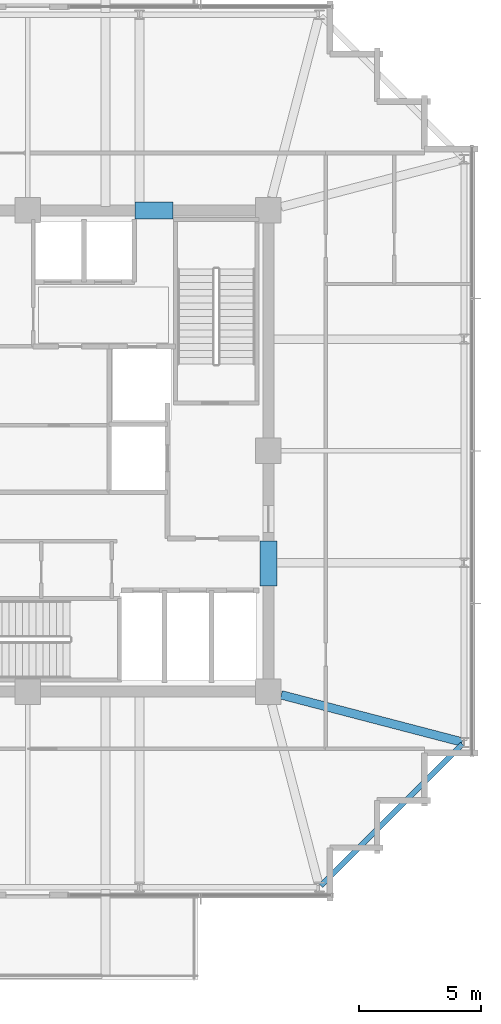
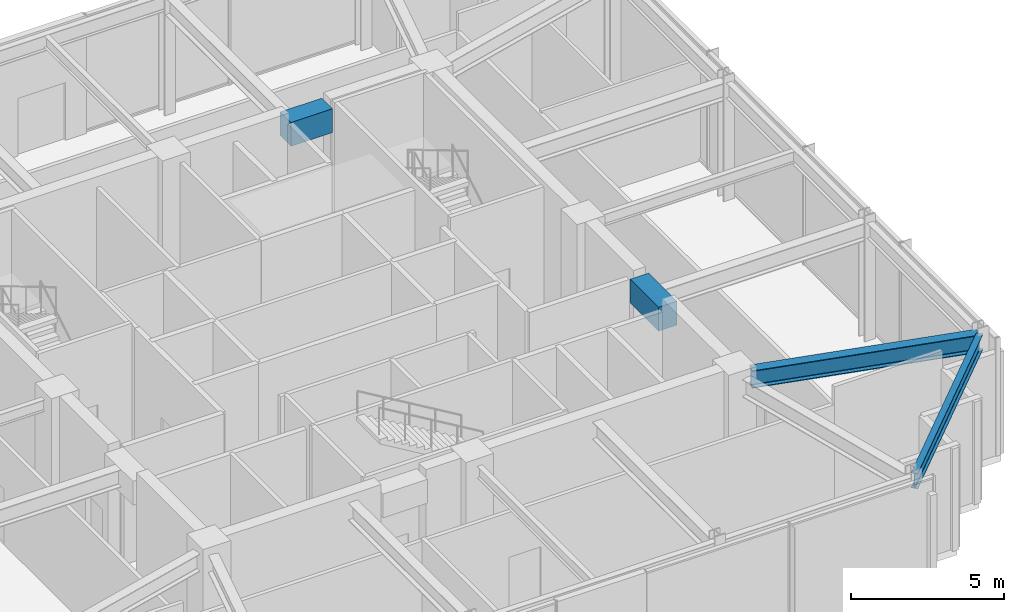
# One storey, part 10 of 31: 4 beams.
"""IFC4 building model written with IfcOpenShell, lengths in metres."""

from ifc_helpers import new_model, si_unit, direction, frame, origin, origin_2d, place, context, subcontext, project, spatial, rectangle, i_section, extrude, material, material_profile, profile_set, type_object, element, save


model = new_model("IFC4")

# Units and contexts
model_context = context("Model", 3, precision=1e-05, world=origin(), true_north=direction((0.0, 1.0)))
body_context = subcontext(model_context, "Body", "Model", "MODEL_VIEW")
ifc_project = project(units=[si_unit("LENGTHUNIT", "METRE"), si_unit("AREAUNIT", "SQUARE_METRE"), si_unit("VOLUMEUNIT", "CUBIC_METRE"), si_unit("PLANEANGLEUNIT", "RADIAN"), si_unit("MASSUNIT", "GRAM", prefix="KILO")], contexts=[model_context])

# Site, building, storey
site_placement = place(None, origin())
site = spatial("IfcSite", under=ifc_project, at=site_placement, CompositionType="ELEMENT")
building_placement = place(site_placement, origin())
building = spatial("IfcBuilding", under=site, at=building_placement, Name="Kolvaren Belvedere", CompositionType="ELEMENT")
storey_placement = place(building_placement, frame((0.0, 0.0, 267.39990234375)))
storey = spatial("IfcBuildingStorey", under=building, at=storey_placement, Name="L77", CompositionType="ELEMENT", Elevation=267.39990234375)

# Beams
ifc_material_1 = material(Name="Structural steel ASTM A992 Grade 50", Category="steel")
ifc_material_profile_1 = material_profile(ifc_material_1, i_section(OverallWidth=0.35498046875, OverallDepth=0.696044921875, WebThickness=0.015380859375, FlangeThickness=0.02490234375, FilletRadius=0.02197265625, at=origin_2d()), Name="W27X146")
ifc_profile_set_1 = profile_set([ifc_material_profile_1], Name="Structural steel ASTM A992 Grade 50")
beam_type_1 = type_object("IfcBeamType", Name="BM-GIRD-W27X146", PredefinedType="BEAM", material=ifc_profile_set_1)
beam_1_placement = place(storey_placement, frame((10.43212890625, -10.038818359375, 4.35205078125), z_axis=(0.967614911708, -0.252430946281, 0.0), x_axis=(0.252430946281, 0.967614911708, 0.0)))
element("IfcBeam", 1, at=beam_1_placement, inside=storey, type_object=beam_type_1, Name="L77 Corner Core-to-Perimeter Girder CC2-E1", PredefinedType="BEAM", context=body_context, shape_type="SweptSolid", body=[
    extrude(i_section(OverallWidth=0.35498046875, OverallDepth=0.696044921875, WebThickness=0.015380859375, FlangeThickness=0.02490234375, FilletRadius=0.02197265625, at=origin_2d()), origin(), (0.0, 0.0, 1.0), 7.68798828125),
])
ifc_material_2 = material(Name="Concrete C60/75", Category="concrete")
ifc_material_profile_2 = material_profile(ifc_material_2, rectangle(XDim=0.699951171875, YDim=0.949951171875, at=origin_2d()), Name="RC 700X950")
ifc_profile_set_2 = profile_set([ifc_material_profile_2], Name="Concrete C60/75")
beam_type_2 = type_object("IfcBeamType", Name="BM-LINT-950", PredefinedType="LINTEL", material=ifc_profile_set_2)
beam_2_placement = place(storey_placement, frame((4.419921875, 9.89990234375, 4.22509765625), z_axis=(1.0, 0.0, 0.0), x_axis=(0.0, 1.0, 0.0)))
element("IfcBeam", 2, at=beam_2_placement, inside=storey, type_object=beam_type_2, Name="L77 North Core Coupling Lintel", PredefinedType="LINTEL", context=body_context, shape_type="SweptSolid", body=[
    extrude(rectangle(XDim=0.699951171875, YDim=0.949951171875, at=origin_2d()), origin(), (0.0, 0.0, 1.0), 1.56005859375),
])
beam_3_placement = place(storey_placement, frame((9.89990234375, -5.550048828125, 4.22509765625), z_axis=(0.0, 1.0, 0.0), x_axis=(-1.0, 0.0, 0.0)))
element("IfcBeam", 3, at=beam_3_placement, inside=storey, type_object=beam_type_2, Name="L77 East Core Coupling Lintel", PredefinedType="LINTEL", context=body_context, shape_type="SweptSolid", body=[
    extrude(rectangle(XDim=0.699951171875, YDim=0.949951171875, at=origin_2d()), origin(), (0.0, 0.0, 1.0), 1.85009765625),
])
ifc_material_3 = material(Name="Structural steel ASTM A992 Grade 50", Category="steel")
ifc_material_profile_3 = material_profile(ifc_material_3, i_section(OverallWidth=0.22900390625, OverallDepth=0.612060546875, WebThickness=0.011962890625, FlangeThickness=0.01953125, FilletRadius=0.01806640625, at=origin_2d()), Name="W24X84")
ifc_profile_set_3 = profile_set([ifc_material_profile_3], Name="Structural steel ASTM A992 Grade 50")
beam_type_3 = type_object("IfcBeamType", Name="BM-SPAN-W24X84", PredefinedType="SPANDREL", material=ifc_profile_set_3)
beam_4_placement = place(storey_placement, frame((12.064697265625, -17.88525390625, 4.39404296875), z_axis=(0.707106781187, 0.707106781187, 0.0), x_axis=(-0.707106781187, 0.707106781187, 0.0)))
element("IfcBeam", 4, at=beam_4_placement, inside=storey, type_object=beam_type_3, Name="L77 Perimeter Spandrel S4-E1", PredefinedType="SPANDREL", context=body_context, shape_type="SweptSolid", body=[
    extrude(i_section(OverallWidth=0.22900390625, OverallDepth=0.612060546875, WebThickness=0.011962890625, FlangeThickness=0.01953125, FilletRadius=0.01806640625, at=origin_2d()), origin(), (0.0, 0.0, 1.0), 8.2314453125),
])

save(model, "model.ifc")
